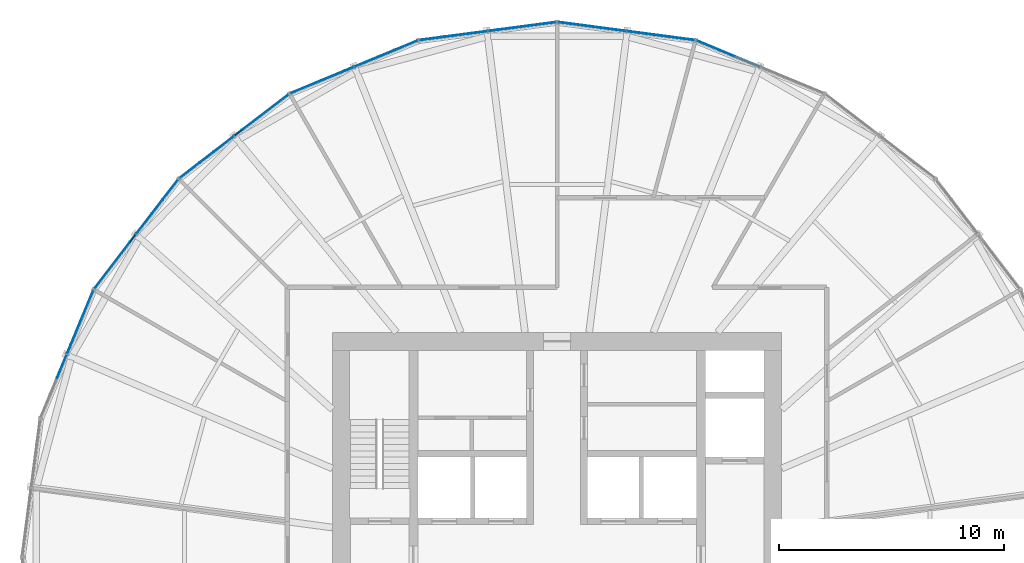
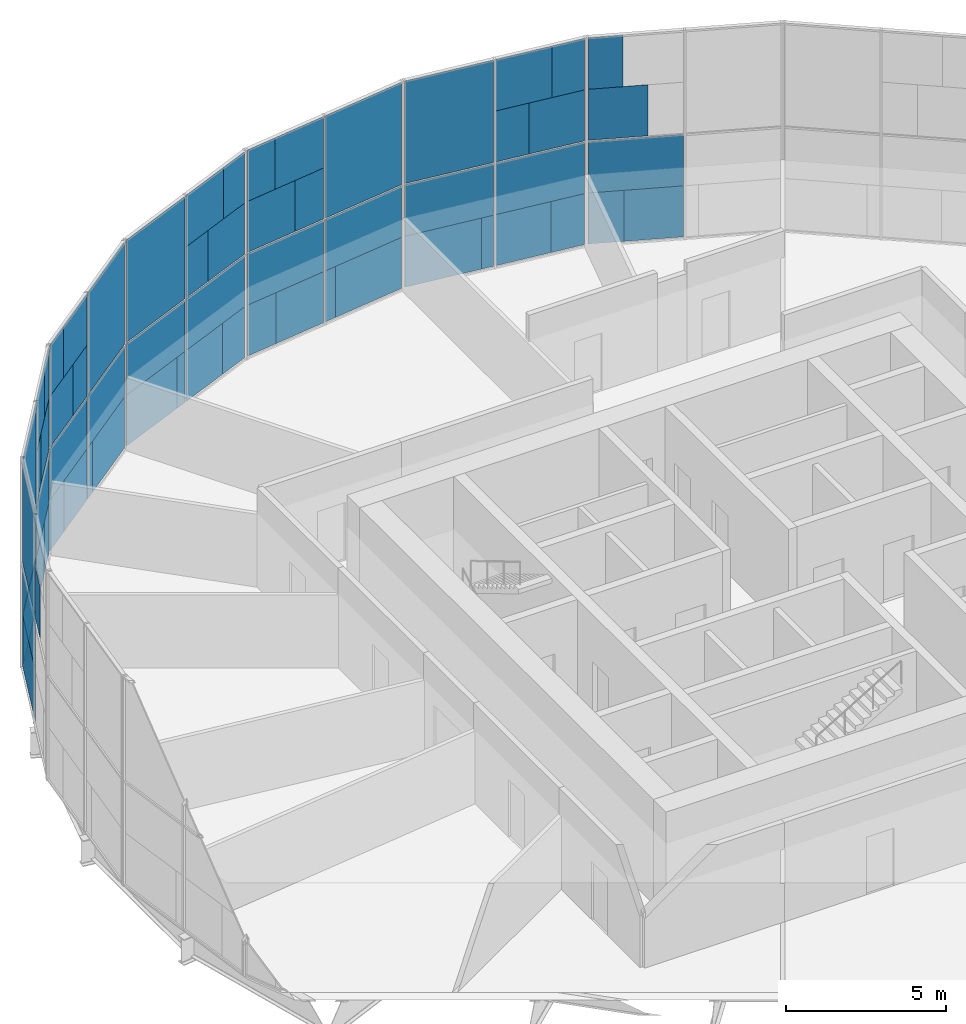
# One storey, part 13 of 18: 65 plates, 7 elements without a shape of their own.
"""IFC4 building model written with IfcOpenShell, lengths in metres."""

from ifc_helpers import new_model, si_unit, direction, frame, origin, origin_2d, place, context, subcontext, project, spatial, rectangle, extrude, material, layer, layer_set, type_object, element, aggregate, save


model = new_model("IFC4")

# Units and contexts
model_context = context("Model", 3, precision=1e-05, world=origin(), true_north=direction((0.0, 1.0)))
body_context = subcontext(model_context, "Body", "Model", "MODEL_VIEW")
ifc_project = project(units=[si_unit("LENGTHUNIT", "METRE"), si_unit("AREAUNIT", "SQUARE_METRE"), si_unit("VOLUMEUNIT", "CUBIC_METRE"), si_unit("PLANEANGLEUNIT", "RADIAN"), si_unit("MASSUNIT", "GRAM", prefix="KILO")], contexts=[model_context])

# Site, building, storey
site_placement = place(None, origin())
site = spatial("IfcSite", under=ifc_project, at=site_placement, CompositionType="ELEMENT")
building_placement = place(site_placement, origin())
building = spatial("IfcBuilding", under=site, at=building_placement, Name="Golbaran Civic Tower", CompositionType="ELEMENT")
storey_placement = place(building_placement, frame((0.0, 0.0, 61.0)))
storey = spatial("IfcBuildingStorey", under=building, at=storey_placement, Name="L14", CompositionType="ELEMENT", Elevation=61.0)

# Curtain wall, plate
ifc_material_1 = material(Name="Aluminium and glass", Category="aluminium")
curtain_wall_type = type_object("IfcCurtainWallType", Name="INNER SKIN CURTAIN WALL", PredefinedType="NOTDEFINED", material=ifc_material_1)
curtain_wall_1_placement = place(storey_placement, origin())
curtain_wall_1 = element("IfcCurtainWall", 1, at=curtain_wall_1_placement, inside=storey, type_object=curtain_wall_type, Name="Inner skin L14 facet 5 CW1", ObjectType="INNER SKIN", PredefinedType="USERDEFINED")
ifc_material_2 = material(Name="Clear insulating glass", Category="glass")
ifc_layer_1 = layer(ifc_material_2, 0.031982421875, Name="Clear insulating glass")
ifc_layer_set_1 = layer_set([ifc_layer_1], Name="Clear insulating glass")
plate_type_1 = type_object("IfcPlateType", Name="INNER SKIN CURTAIN WALL GLAZED PANEL", PredefinedType="CURTAIN_PANEL", material=ifc_layer_set_1)
plate_1_placement = place(storey_placement, frame((6.74609375, 22.764404296875, 0.06494140625), z_axis=(0.0, 0.0, 1.0), x_axis=(-0.923879532505, 0.382683432381, 0.0)))
plate_1 = element("IfcPlate", 2, at=plate_1_placement, type_object=plate_type_1, Name="CW1 panel 2.1 part 2", PredefinedType="CURTAIN_PANEL", context=body_context, shape_type="SweptSolid", body=[
    extrude(rectangle(XDim=1.129150390625, YDim=0.031982421875, at=origin_2d()), origin(), (0.0, 0.0, 1.0), 1.951171875),
])

# Curtain wall, plates
curtain_wall_2_placement = place(storey_placement, origin())
curtain_wall_2 = element("IfcCurtainWall", 3, at=curtain_wall_2_placement, inside=storey, type_object=curtain_wall_type, Name="Inner skin L14 facet 6 CW1", ObjectType="INNER SKIN", PredefinedType="USERDEFINED")
plate_2_placement = place(storey_placement, frame((5.540283203125, 23.087646484375, 0.06494140625), z_axis=(0.0, 0.0, 1.0), x_axis=(-0.991444861378, 0.130526192185, 0.0)))
plate_2 = element("IfcPlate", 4, at=plate_2_placement, type_object=plate_type_1, Name="CW1 panel 1.1 part 1", PredefinedType="CURTAIN_PANEL", context=body_context, shape_type="SweptSolid", body=[
    extrude(rectangle(XDim=1.12890625, YDim=0.031982421875, at=origin_2d()), origin(), (0.0, 0.0, 1.0), 1.951171875),
])
plate_3_placement = place(storey_placement, frame((3.671630859375, 23.33349609375, 4.032470703125), z_axis=(0.0, 0.0, 1.0), x_axis=(-0.991444861378, 0.130526192185, 0.0)))
plate_3 = element("IfcPlate", 5, at=plate_3_placement, type_object=plate_type_1, Name="CW1 panel 1.2 part 2", PredefinedType="CURTAIN_PANEL", context=body_context, shape_type="SweptSolid", body=[
    extrude(rectangle(XDim=1.124267578125, YDim=0.031982421875, at=origin_2d()), origin(), (0.0, 0.0, 1.0), 1.951171875),
])
plate_4_placement = place(storey_placement, frame((4.062744140625, 23.2822265625, 5.98388671875), z_axis=(0.0, 0.0, 1.0), x_axis=(-0.991444861378, 0.130526192185, 0.0)))
plate_4 = element("IfcPlate", 6, at=plate_4_placement, type_object=plate_type_1, Name="CW1 panel 1.2 part 4", PredefinedType="CURTAIN_PANEL", context=body_context, shape_type="SweptSolid", body=[
    extrude(rectangle(XDim=1.913330078125, YDim=0.031982421875, at=origin_2d()), origin(), (0.0, 0.0, 1.0), 1.951171875),
])
plate_5_placement = place(storey_placement, frame((1.35302734375, 23.638916015625, 0.06494140625), z_axis=(0.0, 0.0, 1.0), x_axis=(-0.991444861378, 0.130526192185, 0.0)))
plate_5 = element("IfcPlate", 7, at=plate_5_placement, type_object=plate_type_1, Name="CW1 panel 2.1 part 2", PredefinedType="CURTAIN_PANEL", context=body_context, shape_type="SweptSolid", body=[
    extrude(rectangle(XDim=2.59912109375, YDim=0.031982421875, at=origin_2d()), origin(), (0.0, 0.0, 1.0), 1.951171875),
])
plate_6_placement = place(storey_placement, frame((1.55712890625, 23.612060546875, 2.016357421875), z_axis=(0.0, 0.0, 1.0), x_axis=(-0.991444861378, 0.130526192185, 0.0)))
plate_6 = element("IfcPlate", 8, at=plate_6_placement, type_object=plate_type_1, Name="CW1 panel 2.1 part 3", PredefinedType="CURTAIN_PANEL", context=body_context, shape_type="SweptSolid", body=[
    extrude(rectangle(XDim=3.01123046875, YDim=0.031982421875, at=origin_2d()), origin(), (0.0, 0.0, 1.0), 1.951171875),
])
plate_7_placement = place(storey_placement, frame((1.55712890625, 23.612060546875, 4.0322265625), z_axis=(0.0, 0.0, 1.0), x_axis=(-0.991444861378, 0.130526192185, 0.0)))
plate_7 = element("IfcPlate", 9, at=plate_7_placement, type_object=plate_type_1, Name="CW1 panel 2.2", PredefinedType="CURTAIN_PANEL", context=body_context, shape_type="SweptSolid", body=[
    extrude(rectangle(XDim=3.01123046875, YDim=0.031982421875, at=origin_2d()), origin(), (0.0, 0.0, 1.0), 3.902587890625),
])

curtain_wall_3_placement = place(storey_placement, origin())
curtain_wall_3 = element("IfcCurtainWall", 10, at=curtain_wall_3_placement, inside=storey, type_object=curtain_wall_type, Name="Inner skin L14 facet 7 CW1", ObjectType="INNER SKIN", PredefinedType="USERDEFINED")
plate_8_placement = place(storey_placement, frame((-1.353271484375, 23.638916015625, 0.06494140625), z_axis=(0.0, 0.0, 1.0), x_axis=(-0.991444861378, -0.130526192185, 0.0)))
plate_8 = element("IfcPlate", 11, at=plate_8_placement, type_object=plate_type_1, Name="CW1 panel 1.1 part 1", PredefinedType="CURTAIN_PANEL", context=body_context, shape_type="SweptSolid", body=[
    extrude(rectangle(XDim=2.60009765625, YDim=0.031982421875, at=origin_2d()), origin(), (0.0, 0.0, 1.0), 1.951171875),
])
plate_9_placement = place(storey_placement, frame((-1.55712890625, 23.612060546875, 2.016357421875), z_axis=(0.0, 0.0, 1.0), x_axis=(-0.991444861378, -0.130526192185, 0.0)))
plate_9 = element("IfcPlate", 12, at=plate_9_placement, type_object=plate_type_1, Name="CW1 panel 1.1 part 3", PredefinedType="CURTAIN_PANEL", context=body_context, shape_type="SweptSolid", body=[
    extrude(rectangle(XDim=3.01123046875, YDim=0.031982421875, at=origin_2d()), origin(), (0.0, 0.0, 1.0), 1.951171875),
])
plate_10_placement = place(storey_placement, frame((-1.55712890625, 23.612060546875, 4.0322265625), z_axis=(0.0, 0.0, 1.0), x_axis=(-0.991444861378, -0.130526192185, 0.0)))
plate_10 = element("IfcPlate", 13, at=plate_10_placement, type_object=plate_type_1, Name="CW1 panel 1.2", PredefinedType="CURTAIN_PANEL", context=body_context, shape_type="SweptSolid", body=[
    extrude(rectangle(XDim=3.01123046875, YDim=0.031982421875, at=origin_2d()), origin(), (0.0, 0.0, 1.0), 3.902587890625),
])
plate_11_placement = place(storey_placement, frame((-5.5400390625, 23.087646484375, 0.06494140625), z_axis=(0.0, 0.0, 1.0), x_axis=(-0.991444861378, -0.130526192185, 0.0)))
plate_11 = element("IfcPlate", 14, at=plate_11_placement, type_object=plate_type_1, Name="CW1 panel 2.1 part 2", PredefinedType="CURTAIN_PANEL", context=body_context, shape_type="SweptSolid", body=[
    extrude(rectangle(XDim=1.129150390625, YDim=0.031982421875, at=origin_2d()), origin(), (0.0, 0.0, 1.0), 1.951171875),
])
plate_12_placement = place(storey_placement, frame((-3.671630859375, 23.333740234375, 4.032470703125), z_axis=(0.0, 0.0, 1.0), x_axis=(-0.991444861378, -0.130526192185, 0.0)))
plate_12 = element("IfcPlate", 15, at=plate_12_placement, type_object=plate_type_1, Name="CW1 panel 2.2 part 1", PredefinedType="CURTAIN_PANEL", context=body_context, shape_type="SweptSolid", body=[
    extrude(rectangle(XDim=1.1240234375, YDim=0.031982421875, at=origin_2d()), origin(), (0.0, 0.0, 1.0), 1.951171875),
])
plate_13_placement = place(storey_placement, frame((-4.062744140625, 23.2822265625, 5.98388671875), z_axis=(0.0, 0.0, 1.0), x_axis=(-0.991444861378, -0.130526192185, 0.0)))
plate_13 = element("IfcPlate", 16, at=plate_13_placement, type_object=plate_type_1, Name="CW1 panel 2.2 part 3", PredefinedType="CURTAIN_PANEL", context=body_context, shape_type="SweptSolid", body=[
    extrude(rectangle(XDim=1.9130859375, YDim=0.031982421875, at=origin_2d()), origin(), (0.0, 0.0, 1.0), 1.951171875),
])

curtain_wall_4_placement = place(storey_placement, origin())
curtain_wall_4 = element("IfcCurtainWall", 17, at=curtain_wall_4_placement, inside=storey, type_object=curtain_wall_type, Name="Inner skin L14 facet 8 CW1", ObjectType="INNER SKIN", PredefinedType="USERDEFINED")
plate_14_placement = place(storey_placement, frame((-6.745849609375, 22.7646484375, 0.06494140625), z_axis=(0.0, 0.0, 1.0), x_axis=(-0.923879532505, -0.382683432381, 0.0)))
plate_14 = element("IfcPlate", 18, at=plate_14_placement, type_object=plate_type_1, Name="CW1 panel 1.1 part 1", PredefinedType="CURTAIN_PANEL", context=body_context, shape_type="SweptSolid", body=[
    extrude(rectangle(XDim=1.12890625, YDim=0.031982421875, at=origin_2d()), origin(), (0.0, 0.0, 1.0), 1.951171875),
])
plate_15_placement = place(storey_placement, frame((-8.487060546875, 22.04345703125, 4.032470703125), z_axis=(0.0, 0.0, 1.0), x_axis=(-0.923879532505, -0.382683432381, 0.0)))
plate_15 = element("IfcPlate", 19, at=plate_15_placement, type_object=plate_type_1, Name="CW1 panel 1.2 part 2", PredefinedType="CURTAIN_PANEL", context=body_context, shape_type="SweptSolid", body=[
    extrude(rectangle(XDim=1.124267578125, YDim=0.031982421875, at=origin_2d()), origin(), (0.0, 0.0, 1.0), 1.951171875),
])
plate_16_placement = place(storey_placement, frame((-8.12255859375, 22.1943359375, 5.98388671875), z_axis=(0.0, 0.0, 1.0), x_axis=(-0.923879532505, -0.382683432381, 0.0)))
plate_16 = element("IfcPlate", 20, at=plate_16_placement, type_object=plate_type_1, Name="CW1 panel 1.2 part 4", PredefinedType="CURTAIN_PANEL", context=body_context, shape_type="SweptSolid", body=[
    extrude(rectangle(XDim=1.913330078125, YDim=0.031982421875, at=origin_2d()), origin(), (0.0, 0.0, 1.0), 1.951171875),
])
plate_17_placement = place(storey_placement, frame((-10.647705078125, 21.1484375, 0.06494140625), z_axis=(0.0, 0.0, 1.0), x_axis=(-0.923879532505, -0.382683432381, 0.0)))
plate_17 = element("IfcPlate", 21, at=plate_17_placement, type_object=plate_type_1, Name="CW1 panel 2.1 part 2", PredefinedType="CURTAIN_PANEL", context=body_context, shape_type="SweptSolid", body=[
    extrude(rectangle(XDim=2.59912109375, YDim=0.031982421875, at=origin_2d()), origin(), (0.0, 0.0, 1.0), 1.951171875),
])
plate_18_placement = place(storey_placement, frame((-10.45751953125, 21.227294921875, 2.016357421875), z_axis=(0.0, 0.0, 1.0), x_axis=(-0.923879532505, -0.382683432381, 0.0)))
plate_18 = element("IfcPlate", 22, at=plate_18_placement, type_object=plate_type_1, Name="CW1 panel 2.1 part 3", PredefinedType="CURTAIN_PANEL", context=body_context, shape_type="SweptSolid", body=[
    extrude(rectangle(XDim=3.01123046875, YDim=0.031982421875, at=origin_2d()), origin(), (0.0, 0.0, 1.0), 1.951171875),
])
plate_19_placement = place(storey_placement, frame((-10.45751953125, 21.227294921875, 4.0322265625), z_axis=(0.0, 0.0, 1.0), x_axis=(-0.923879532505, -0.382683432381, 0.0)))
plate_19 = element("IfcPlate", 23, at=plate_19_placement, type_object=plate_type_1, Name="CW1 panel 2.2", PredefinedType="CURTAIN_PANEL", context=body_context, shape_type="SweptSolid", body=[
    extrude(rectangle(XDim=3.01123046875, YDim=0.031982421875, at=origin_2d()), origin(), (0.0, 0.0, 1.0), 3.902587890625),
])

curtain_wall_5_placement = place(storey_placement, origin())
curtain_wall_5 = element("IfcCurtainWall", 24, at=curtain_wall_5_placement, inside=storey, type_object=curtain_wall_type, Name="Inner skin L14 facet 9 CW1", ObjectType="INNER SKIN", PredefinedType="USERDEFINED")
plate_20_placement = place(storey_placement, frame((-12.991455078125, 19.795166015625, 0.06494140625), z_axis=(0.0, 0.0, 1.0), x_axis=(-0.793353340355, -0.608761428926, 0.0)))
plate_20 = element("IfcPlate", 25, at=plate_20_placement, type_object=plate_type_1, Name="CW1 panel 1.1 part 1", PredefinedType="CURTAIN_PANEL", context=body_context, shape_type="SweptSolid", body=[
    extrude(rectangle(XDim=2.60009765625, YDim=0.031982421875, at=origin_2d()), origin(), (0.0, 0.0, 1.0), 1.951171875),
])
plate_21_placement = place(storey_placement, frame((-13.154541015625, 19.669921875, 2.016357421875), z_axis=(0.0, 0.0, 1.0), x_axis=(-0.793353340355, -0.608761428926, 0.0)))
plate_21 = element("IfcPlate", 26, at=plate_21_placement, type_object=plate_type_1, Name="CW1 panel 1.1 part 3", PredefinedType="CURTAIN_PANEL", context=body_context, shape_type="SweptSolid", body=[
    extrude(rectangle(XDim=3.01123046875, YDim=0.031982421875, at=origin_2d()), origin(), (0.0, 0.0, 1.0), 1.951171875),
])
plate_22_placement = place(storey_placement, frame((-13.154541015625, 19.669921875, 4.0322265625), z_axis=(0.0, 0.0, 1.0), x_axis=(-0.793353340355, -0.608761428926, 0.0)))
plate_22 = element("IfcPlate", 27, at=plate_22_placement, type_object=plate_type_1, Name="CW1 panel 1.2", PredefinedType="CURTAIN_PANEL", context=body_context, shape_type="SweptSolid", body=[
    extrude(rectangle(XDim=3.01123046875, YDim=0.031982421875, at=origin_2d()), origin(), (0.0, 0.0, 1.0), 3.902587890625),
])
plate_23_placement = place(storey_placement, frame((-16.341552734375, 17.224365234375, 0.06494140625), z_axis=(0.0, 0.0, 1.0), x_axis=(-0.793353340355, -0.608761428926, 0.0)))
plate_23 = element("IfcPlate", 28, at=plate_23_placement, type_object=plate_type_1, Name="CW1 panel 2.1 part 2", PredefinedType="CURTAIN_PANEL", context=body_context, shape_type="SweptSolid", body=[
    extrude(rectangle(XDim=1.129150390625, YDim=0.031982421875, at=origin_2d()), origin(), (0.0, 0.0, 1.0), 1.951171875),
])
plate_24_placement = place(storey_placement, frame((-14.846435546875, 18.371826171875, 4.032470703125), z_axis=(0.0, 0.0, 1.0), x_axis=(-0.793353340355, -0.608761428926, 0.0)))
plate_24 = element("IfcPlate", 29, at=plate_24_placement, type_object=plate_type_1, Name="CW1 panel 2.2 part 1", PredefinedType="CURTAIN_PANEL", context=body_context, shape_type="SweptSolid", body=[
    extrude(rectangle(XDim=1.1240234375, YDim=0.031982421875, at=origin_2d()), origin(), (0.0, 0.0, 1.0), 1.951171875),
])
plate_25_placement = place(storey_placement, frame((-15.159423828125, 18.131591796875, 5.98388671875), z_axis=(0.0, 0.0, 1.0), x_axis=(-0.793353340355, -0.608761428926, 0.0)))
plate_25 = element("IfcPlate", 30, at=plate_25_placement, type_object=plate_type_1, Name="CW1 panel 2.2 part 3", PredefinedType="CURTAIN_PANEL", context=body_context, shape_type="SweptSolid", body=[
    extrude(rectangle(XDim=1.9130859375, YDim=0.031982421875, at=origin_2d()), origin(), (0.0, 0.0, 1.0), 1.951171875),
])

curtain_wall_6_placement = place(storey_placement, origin())
curtain_wall_6 = element("IfcCurtainWall", 31, at=curtain_wall_6_placement, inside=storey, type_object=curtain_wall_type, Name="Inner skin L14 facet 10 CW1", ObjectType="INNER SKIN", PredefinedType="USERDEFINED")
plate_26_placement = place(storey_placement, frame((-17.224365234375, 16.341796875, 0.06494140625), z_axis=(0.0, 0.0, 1.0), x_axis=(-0.608761428926, -0.793353340355, 0.0)))
plate_26 = element("IfcPlate", 32, at=plate_26_placement, type_object=plate_type_1, Name="CW1 panel 1.1 part 1", PredefinedType="CURTAIN_PANEL", context=body_context, shape_type="SweptSolid", body=[
    extrude(rectangle(XDim=1.12890625, YDim=0.031982421875, at=origin_2d()), origin(), (0.0, 0.0, 1.0), 1.951171875),
])
plate_27_placement = place(storey_placement, frame((-18.37158203125, 14.8466796875, 4.032470703125), z_axis=(0.0, 0.0, 1.0), x_axis=(-0.608761428926, -0.793353340355, 0.0)))
plate_27 = element("IfcPlate", 33, at=plate_27_placement, type_object=plate_type_1, Name="CW1 panel 1.2 part 2", PredefinedType="CURTAIN_PANEL", context=body_context, shape_type="SweptSolid", body=[
    extrude(rectangle(XDim=1.124267578125, YDim=0.031982421875, at=origin_2d()), origin(), (0.0, 0.0, 1.0), 1.951171875),
])
plate_28_placement = place(storey_placement, frame((-18.131591796875, 15.15966796875, 5.98388671875), z_axis=(0.0, 0.0, 1.0), x_axis=(-0.608761428926, -0.793353340355, 0.0)))
plate_28 = element("IfcPlate", 34, at=plate_28_placement, type_object=plate_type_1, Name="CW1 panel 1.2 part 4", PredefinedType="CURTAIN_PANEL", context=body_context, shape_type="SweptSolid", body=[
    extrude(rectangle(XDim=1.913330078125, YDim=0.031982421875, at=origin_2d()), origin(), (0.0, 0.0, 1.0), 1.951171875),
])
plate_29_placement = place(storey_placement, frame((-19.79541015625, 12.9912109375, 0.06494140625), z_axis=(0.0, 0.0, 1.0), x_axis=(-0.608761428926, -0.793353340355, 0.0)))
plate_29 = element("IfcPlate", 35, at=plate_29_placement, type_object=plate_type_1, Name="CW1 panel 2.1 part 2", PredefinedType="CURTAIN_PANEL", context=body_context, shape_type="SweptSolid", body=[
    extrude(rectangle(XDim=2.59912109375, YDim=0.031982421875, at=origin_2d()), origin(), (0.0, 0.0, 1.0), 1.951171875),
])
plate_30_placement = place(storey_placement, frame((-19.669921875, 13.154541015625, 2.016357421875), z_axis=(0.0, 0.0, 1.0), x_axis=(-0.608761428926, -0.793353340355, 0.0)))
plate_30 = element("IfcPlate", 36, at=plate_30_placement, type_object=plate_type_1, Name="CW1 panel 2.1 part 3", PredefinedType="CURTAIN_PANEL", context=body_context, shape_type="SweptSolid", body=[
    extrude(rectangle(XDim=3.01123046875, YDim=0.031982421875, at=origin_2d()), origin(), (0.0, 0.0, 1.0), 1.951171875),
])
plate_31_placement = place(storey_placement, frame((-19.669921875, 13.154541015625, 4.0322265625), z_axis=(0.0, 0.0, 1.0), x_axis=(-0.608761428926, -0.793353340355, 0.0)))
plate_31 = element("IfcPlate", 37, at=plate_31_placement, type_object=plate_type_1, Name="CW1 panel 2.2", PredefinedType="CURTAIN_PANEL", context=body_context, shape_type="SweptSolid", body=[
    extrude(rectangle(XDim=3.01123046875, YDim=0.031982421875, at=origin_2d()), origin(), (0.0, 0.0, 1.0), 3.902587890625),
])

curtain_wall_7_placement = place(storey_placement, origin())
curtain_wall_7 = element("IfcCurtainWall", 38, at=curtain_wall_7_placement, inside=storey, type_object=curtain_wall_type, Name="Inner skin L14 facet 11 CW1", ObjectType="INNER SKIN", PredefinedType="USERDEFINED")
plate_32_placement = place(storey_placement, frame((-21.1484375, 10.6474609375, 0.06494140625), z_axis=(0.0, 0.0, 1.0), x_axis=(-0.382683432381, -0.923879532505, 0.0)))
plate_32 = element("IfcPlate", 39, at=plate_32_placement, type_object=plate_type_1, Name="CW1 panel 1.1 part 1", PredefinedType="CURTAIN_PANEL", context=body_context, shape_type="SweptSolid", body=[
    extrude(rectangle(XDim=2.60009765625, YDim=0.031982421875, at=origin_2d()), origin(), (0.0, 0.0, 1.0), 1.951171875),
])
plate_33_placement = place(storey_placement, frame((-21.227294921875, 10.45751953125, 2.016357421875), z_axis=(0.0, 0.0, 1.0), x_axis=(-0.382683432381, -0.923879532505, 0.0)))
plate_33 = element("IfcPlate", 40, at=plate_33_placement, type_object=plate_type_1, Name="CW1 panel 1.1 part 3", PredefinedType="CURTAIN_PANEL", context=body_context, shape_type="SweptSolid", body=[
    extrude(rectangle(XDim=3.01123046875, YDim=0.031982421875, at=origin_2d()), origin(), (0.0, 0.0, 1.0), 1.951171875),
])
plate_34_placement = place(storey_placement, frame((-21.227294921875, 10.45751953125, 4.0322265625), z_axis=(0.0, 0.0, 1.0), x_axis=(-0.382683432381, -0.923879532505, 0.0)))
plate_34 = element("IfcPlate", 41, at=plate_34_placement, type_object=plate_type_1, Name="CW1 panel 1.2", PredefinedType="CURTAIN_PANEL", context=body_context, shape_type="SweptSolid", body=[
    extrude(rectangle(XDim=3.01123046875, YDim=0.031982421875, at=origin_2d()), origin(), (0.0, 0.0, 1.0), 3.902587890625),
])
plate_35_placement = place(storey_placement, frame((-22.043212890625, 8.487060546875, 4.032470703125), z_axis=(0.0, 0.0, 1.0), x_axis=(-0.382683432381, -0.923879532505, 0.0)))
plate_35 = element("IfcPlate", 42, at=plate_35_placement, type_object=plate_type_1, Name="CW1 panel 2.2 part 1", PredefinedType="CURTAIN_PANEL", context=body_context, shape_type="SweptSolid", body=[
    extrude(rectangle(XDim=1.1240234375, YDim=0.031982421875, at=origin_2d()), origin(), (0.0, 0.0, 1.0), 1.951171875),
])

# Plate
ifc_material_3 = material(Name="Aluminium faced opaque infill panel", Category="aluminium")
ifc_layer_2 = layer(ifc_material_3, 0.031982421875, Name="Aluminium faced opaque infill panel")
ifc_layer_set_2 = layer_set([ifc_layer_2], Name="Aluminium faced opaque infill panel")
plate_type_2 = type_object("IfcPlateType", Name="INNER SKIN CURTAIN WALL OPAQUE INFILL PANEL", PredefinedType="CURTAIN_PANEL", material=ifc_layer_set_2)
plate_36_placement = place(storey_placement, frame((8.136962890625, 22.188232421875, 0.06494140625), z_axis=(0.0, 0.0, 1.0), x_axis=(-0.923879532505, 0.382683432381, 0.0)))
plate_36 = element("IfcPlate", 43, at=plate_36_placement, type_object=plate_type_2, Name="CW1 infill panel 2.1 part 1", PredefinedType="CURTAIN_PANEL", context=body_context, shape_type="SweptSolid", body=[
    extrude(rectangle(XDim=1.882080078125, YDim=0.031982421875, at=origin_2d()), origin(), (0.0, 0.0, 1.0), 1.951171875),
])

plate_37_placement = place(storey_placement, frame((7.615478515625, 22.404296875, 2.016357421875), z_axis=(0.0, 0.0, 1.0), x_axis=(-0.923879532505, 0.382683432381, 0.0)))
plate_37 = element("IfcPlate", 44, at=plate_37_placement, type_object=plate_type_2, Name="CW1 infill panel 2.1 part 3", PredefinedType="CURTAIN_PANEL", context=body_context, shape_type="SweptSolid", body=[
    extrude(rectangle(XDim=3.01123046875, YDim=0.031982421875, at=origin_2d()), origin(), (0.0, 0.0, 1.0), 1.951171875),
])

plate_38_placement = place(storey_placement, frame((7.09619140625, 22.619384765625, 4.032470703125), z_axis=(0.0, 0.0, 1.0), x_axis=(-0.923879532505, 0.382683432381, 0.0)))
plate_38 = element("IfcPlate", 45, at=plate_38_placement, type_object=plate_type_2, Name="CW1 infill panel 2.2 part 2", PredefinedType="CURTAIN_PANEL", context=body_context, shape_type="SweptSolid", body=[
    extrude(rectangle(XDim=1.88720703125, YDim=0.031982421875, at=origin_2d()), origin(), (0.0, 0.0, 1.0), 1.951171875),
])

plate_39_placement = place(storey_placement, frame((6.731689453125, 22.7705078125, 5.98388671875), z_axis=(0.0, 0.0, 1.0), x_axis=(-0.923879532505, 0.382683432381, 0.0)))
plate_39 = element("IfcPlate", 46, at=plate_39_placement, type_object=plate_type_2, Name="CW1 infill panel 2.2 part 4", PredefinedType="CURTAIN_PANEL", context=body_context, shape_type="SweptSolid", body=[
    extrude(rectangle(XDim=1.09814453125, YDim=0.031982421875, at=origin_2d()), origin(), (0.0, 0.0, 1.0), 1.951171875),
])

aggregate(curtain_wall_1, [plate_36, plate_1, plate_37, plate_38, plate_39])

plate_40_placement = place(storey_placement, frame((4.04736328125, 23.2841796875, 0.06494140625), z_axis=(0.0, 0.0, 1.0), x_axis=(-0.991444861378, 0.130526192185, 0.0)))
plate_40 = element("IfcPlate", 47, at=plate_40_placement, type_object=plate_type_2, Name="CW1 infill panel 1.1 part 2", PredefinedType="CURTAIN_PANEL", context=body_context, shape_type="SweptSolid", body=[
    extrude(rectangle(XDim=1.88232421875, YDim=0.031982421875, at=origin_2d()), origin(), (0.0, 0.0, 1.0), 1.951171875),
])

plate_41_placement = place(storey_placement, frame((4.607177734375, 23.21044921875, 2.016357421875), z_axis=(0.0, 0.0, 1.0), x_axis=(-0.991444861378, 0.130526192185, 0.0)))
plate_41 = element("IfcPlate", 48, at=plate_41_placement, type_object=plate_type_2, Name="CW1 infill panel 1.1 part 3", PredefinedType="CURTAIN_PANEL", context=body_context, shape_type="SweptSolid", body=[
    extrude(rectangle(XDim=3.01123046875, YDim=0.031982421875, at=origin_2d()), origin(), (0.0, 0.0, 1.0), 1.951171875),
])

plate_42_placement = place(storey_placement, frame((5.164306640625, 23.13720703125, 4.032470703125), z_axis=(0.0, 0.0, 1.0), x_axis=(-0.991444861378, 0.130526192185, 0.0)))
plate_42 = element("IfcPlate", 49, at=plate_42_placement, type_object=plate_type_2, Name="CW1 infill panel 1.2 part 1", PredefinedType="CURTAIN_PANEL", context=body_context, shape_type="SweptSolid", body=[
    extrude(rectangle(XDim=1.886962890625, YDim=0.031982421875, at=origin_2d()), origin(), (0.0, 0.0, 1.0), 1.951171875),
])

plate_43_placement = place(storey_placement, frame((5.5556640625, 23.085693359375, 5.98388671875), z_axis=(0.0, 0.0, 1.0), x_axis=(-0.991444861378, 0.130526192185, 0.0)))
plate_43 = element("IfcPlate", 50, at=plate_43_placement, type_object=plate_type_2, Name="CW1 infill panel 1.2 part 3", PredefinedType="CURTAIN_PANEL", context=body_context, shape_type="SweptSolid", body=[
    extrude(rectangle(XDim=1.097900390625, YDim=0.031982421875, at=origin_2d()), origin(), (0.0, 0.0, 1.0), 1.951171875),
])

plate_44_placement = place(storey_placement, frame((2.845703125, 23.4423828125, 0.06494140625), z_axis=(0.0, 0.0, 1.0), x_axis=(-0.991444861378, 0.130526192185, 0.0)))
plate_44 = element("IfcPlate", 51, at=plate_44_placement, type_object=plate_type_2, Name="CW1 infill panel 2.1 part 1", PredefinedType="CURTAIN_PANEL", context=body_context, shape_type="SweptSolid", body=[
    extrude(rectangle(XDim=0.412109375, YDim=0.031982421875, at=origin_2d()), origin(), (0.0, 0.0, 1.0), 1.951171875),
])

aggregate(curtain_wall_2, [plate_2, plate_40, plate_41, plate_42, plate_3, plate_43, plate_4, plate_44, plate_5, plate_6, plate_7])

plate_45_placement = place(storey_placement, frame((-2.845947265625, 23.4423828125, 0.06494140625), z_axis=(0.0, 0.0, 1.0), x_axis=(-0.991444861378, -0.130526192185, 0.0)))
plate_45 = element("IfcPlate", 52, at=plate_45_placement, type_object=plate_type_2, Name="CW1 infill panel 1.1 part 2", PredefinedType="CURTAIN_PANEL", context=body_context, shape_type="SweptSolid", body=[
    extrude(rectangle(XDim=0.4111328125, YDim=0.031982421875, at=origin_2d()), origin(), (0.0, 0.0, 1.0), 1.951171875),
])

plate_46_placement = place(storey_placement, frame((-4.04736328125, 23.2841796875, 0.06494140625), z_axis=(0.0, 0.0, 1.0), x_axis=(-0.991444861378, -0.130526192185, 0.0)))
plate_46 = element("IfcPlate", 53, at=plate_46_placement, type_object=plate_type_2, Name="CW1 infill panel 2.1 part 1", PredefinedType="CURTAIN_PANEL", context=body_context, shape_type="SweptSolid", body=[
    extrude(rectangle(XDim=1.882080078125, YDim=0.031982421875, at=origin_2d()), origin(), (0.0, 0.0, 1.0), 1.951171875),
])

plate_47_placement = place(storey_placement, frame((-4.607177734375, 23.21044921875, 2.016357421875), z_axis=(0.0, 0.0, 1.0), x_axis=(-0.991444861378, -0.130526192185, 0.0)))
plate_47 = element("IfcPlate", 54, at=plate_47_placement, type_object=plate_type_2, Name="CW1 infill panel 2.1 part 3", PredefinedType="CURTAIN_PANEL", context=body_context, shape_type="SweptSolid", body=[
    extrude(rectangle(XDim=3.01123046875, YDim=0.031982421875, at=origin_2d()), origin(), (0.0, 0.0, 1.0), 1.951171875),
])

plate_48_placement = place(storey_placement, frame((-5.164306640625, 23.13720703125, 4.032470703125), z_axis=(0.0, 0.0, 1.0), x_axis=(-0.991444861378, -0.130526192185, 0.0)))
plate_48 = element("IfcPlate", 55, at=plate_48_placement, type_object=plate_type_2, Name="CW1 infill panel 2.2 part 2", PredefinedType="CURTAIN_PANEL", context=body_context, shape_type="SweptSolid", body=[
    extrude(rectangle(XDim=1.88720703125, YDim=0.031982421875, at=origin_2d()), origin(), (0.0, 0.0, 1.0), 1.951171875),
])

plate_49_placement = place(storey_placement, frame((-5.555419921875, 23.085693359375, 5.98388671875), z_axis=(0.0, 0.0, 1.0), x_axis=(-0.991444861378, -0.130526192185, 0.0)))
plate_49 = element("IfcPlate", 56, at=plate_49_placement, type_object=plate_type_2, Name="CW1 infill panel 2.2 part 4", PredefinedType="CURTAIN_PANEL", context=body_context, shape_type="SweptSolid", body=[
    extrude(rectangle(XDim=1.09814453125, YDim=0.031982421875, at=origin_2d()), origin(), (0.0, 0.0, 1.0), 1.951171875),
])

aggregate(curtain_wall_3, [plate_8, plate_45, plate_9, plate_10, plate_46, plate_11, plate_47, plate_12, plate_48, plate_13, plate_49])

plate_50_placement = place(storey_placement, frame((-8.136962890625, 22.1884765625, 0.06494140625), z_axis=(0.0, 0.0, 1.0), x_axis=(-0.923879532505, -0.382683432381, 0.0)))
plate_50 = element("IfcPlate", 57, at=plate_50_placement, type_object=plate_type_2, Name="CW1 infill panel 1.1 part 2", PredefinedType="CURTAIN_PANEL", context=body_context, shape_type="SweptSolid", body=[
    extrude(rectangle(XDim=1.88232421875, YDim=0.031982421875, at=origin_2d()), origin(), (0.0, 0.0, 1.0), 1.951171875),
])

plate_51_placement = place(storey_placement, frame((-7.615478515625, 22.404296875, 2.016357421875), z_axis=(0.0, 0.0, 1.0), x_axis=(-0.923879532505, -0.382683432381, 0.0)))
plate_51 = element("IfcPlate", 58, at=plate_51_placement, type_object=plate_type_2, Name="CW1 infill panel 1.1 part 3", PredefinedType="CURTAIN_PANEL", context=body_context, shape_type="SweptSolid", body=[
    extrude(rectangle(XDim=3.01123046875, YDim=0.031982421875, at=origin_2d()), origin(), (0.0, 0.0, 1.0), 1.951171875),
])

plate_52_placement = place(storey_placement, frame((-7.095947265625, 22.61962890625, 4.032470703125), z_axis=(0.0, 0.0, 1.0), x_axis=(-0.923879532505, -0.382683432381, 0.0)))
plate_52 = element("IfcPlate", 59, at=plate_52_placement, type_object=plate_type_2, Name="CW1 infill panel 1.2 part 1", PredefinedType="CURTAIN_PANEL", context=body_context, shape_type="SweptSolid", body=[
    extrude(rectangle(XDim=1.886962890625, YDim=0.031982421875, at=origin_2d()), origin(), (0.0, 0.0, 1.0), 1.951171875),
])

plate_53_placement = place(storey_placement, frame((-6.7314453125, 22.7705078125, 5.98388671875), z_axis=(0.0, 0.0, 1.0), x_axis=(-0.923879532505, -0.382683432381, 0.0)))
plate_53 = element("IfcPlate", 60, at=plate_53_placement, type_object=plate_type_2, Name="CW1 infill panel 1.2 part 3", PredefinedType="CURTAIN_PANEL", context=body_context, shape_type="SweptSolid", body=[
    extrude(rectangle(XDim=1.097900390625, YDim=0.031982421875, at=origin_2d()), origin(), (0.0, 0.0, 1.0), 1.951171875),
])

plate_54_placement = place(storey_placement, frame((-9.2568359375, 21.724609375, 0.06494140625), z_axis=(0.0, 0.0, 1.0), x_axis=(-0.923879532505, -0.382683432381, 0.0)))
plate_54 = element("IfcPlate", 61, at=plate_54_placement, type_object=plate_type_2, Name="CW1 infill panel 2.1 part 1", PredefinedType="CURTAIN_PANEL", context=body_context, shape_type="SweptSolid", body=[
    extrude(rectangle(XDim=0.412109375, YDim=0.031982421875, at=origin_2d()), origin(), (0.0, 0.0, 1.0), 1.951171875),
])

aggregate(curtain_wall_4, [plate_14, plate_50, plate_51, plate_52, plate_15, plate_53, plate_16, plate_54, plate_17, plate_18, plate_19])

plate_55_placement = place(storey_placement, frame((-14.18603515625, 18.878662109375, 0.06494140625), z_axis=(0.0, 0.0, 1.0), x_axis=(-0.793353340355, -0.608761428926, 0.0)))
plate_55 = element("IfcPlate", 62, at=plate_55_placement, type_object=plate_type_2, Name="CW1 infill panel 1.1 part 2", PredefinedType="CURTAIN_PANEL", context=body_context, shape_type="SweptSolid", body=[
    extrude(rectangle(XDim=0.4111328125, YDim=0.031982421875, at=origin_2d()), origin(), (0.0, 0.0, 1.0), 1.951171875),
])

plate_56_placement = place(storey_placement, frame((-15.147216796875, 18.14111328125, 0.06494140625), z_axis=(0.0, 0.0, 1.0), x_axis=(-0.793353340355, -0.608761428926, 0.0)))
plate_56 = element("IfcPlate", 63, at=plate_56_placement, type_object=plate_type_2, Name="CW1 infill panel 2.1 part 1", PredefinedType="CURTAIN_PANEL", context=body_context, shape_type="SweptSolid", body=[
    extrude(rectangle(XDim=1.882080078125, YDim=0.031982421875, at=origin_2d()), origin(), (0.0, 0.0, 1.0), 1.951171875),
])

plate_57_placement = place(storey_placement, frame((-15.59521484375, 17.79736328125, 2.016357421875), z_axis=(0.0, 0.0, 1.0), x_axis=(-0.793353340355, -0.608761428926, 0.0)))
plate_57 = element("IfcPlate", 64, at=plate_57_placement, type_object=plate_type_2, Name="CW1 infill panel 2.1 part 3", PredefinedType="CURTAIN_PANEL", context=body_context, shape_type="SweptSolid", body=[
    extrude(rectangle(XDim=3.01123046875, YDim=0.031982421875, at=origin_2d()), origin(), (0.0, 0.0, 1.0), 1.951171875),
])

plate_58_placement = place(storey_placement, frame((-16.041015625, 17.455078125, 4.032470703125), z_axis=(0.0, 0.0, 1.0), x_axis=(-0.793353340355, -0.608761428926, 0.0)))
plate_58 = element("IfcPlate", 65, at=plate_58_placement, type_object=plate_type_2, Name="CW1 infill panel 2.2 part 2", PredefinedType="CURTAIN_PANEL", context=body_context, shape_type="SweptSolid", body=[
    extrude(rectangle(XDim=1.88720703125, YDim=0.031982421875, at=origin_2d()), origin(), (0.0, 0.0, 1.0), 1.951171875),
])

plate_59_placement = place(storey_placement, frame((-16.35400390625, 17.215087890625, 5.98388671875), z_axis=(0.0, 0.0, 1.0), x_axis=(-0.793353340355, -0.608761428926, 0.0)))
plate_59 = element("IfcPlate", 66, at=plate_59_placement, type_object=plate_type_2, Name="CW1 infill panel 2.2 part 4", PredefinedType="CURTAIN_PANEL", context=body_context, shape_type="SweptSolid", body=[
    extrude(rectangle(XDim=1.09814453125, YDim=0.031982421875, at=origin_2d()), origin(), (0.0, 0.0, 1.0), 1.951171875),
])

aggregate(curtain_wall_5, [plate_20, plate_55, plate_21, plate_22, plate_56, plate_23, plate_57, plate_24, plate_58, plate_25, plate_59])

plate_60_placement = place(storey_placement, frame((-18.140869140625, 15.147216796875, 0.06494140625), z_axis=(0.0, 0.0, 1.0), x_axis=(-0.608761428926, -0.793353340355, 0.0)))
plate_60 = element("IfcPlate", 67, at=plate_60_placement, type_object=plate_type_2, Name="CW1 infill panel 1.1 part 2", PredefinedType="CURTAIN_PANEL", context=body_context, shape_type="SweptSolid", body=[
    extrude(rectangle(XDim=1.88232421875, YDim=0.031982421875, at=origin_2d()), origin(), (0.0, 0.0, 1.0), 1.951171875),
])

plate_61_placement = place(storey_placement, frame((-17.79736328125, 15.59521484375, 2.016357421875), z_axis=(0.0, 0.0, 1.0), x_axis=(-0.608761428926, -0.793353340355, 0.0)))
plate_61 = element("IfcPlate", 68, at=plate_61_placement, type_object=plate_type_2, Name="CW1 infill panel 1.1 part 3", PredefinedType="CURTAIN_PANEL", context=body_context, shape_type="SweptSolid", body=[
    extrude(rectangle(XDim=3.01123046875, YDim=0.031982421875, at=origin_2d()), origin(), (0.0, 0.0, 1.0), 1.951171875),
])

plate_62_placement = place(storey_placement, frame((-17.455078125, 16.041015625, 4.032470703125), z_axis=(0.0, 0.0, 1.0), x_axis=(-0.608761428926, -0.793353340355, 0.0)))
plate_62 = element("IfcPlate", 69, at=plate_62_placement, type_object=plate_type_2, Name="CW1 infill panel 1.2 part 1", PredefinedType="CURTAIN_PANEL", context=body_context, shape_type="SweptSolid", body=[
    extrude(rectangle(XDim=1.886962890625, YDim=0.031982421875, at=origin_2d()), origin(), (0.0, 0.0, 1.0), 1.951171875),
])

plate_63_placement = place(storey_placement, frame((-17.21484375, 16.35400390625, 5.98388671875), z_axis=(0.0, 0.0, 1.0), x_axis=(-0.608761428926, -0.793353340355, 0.0)))
plate_63 = element("IfcPlate", 70, at=plate_63_placement, type_object=plate_type_2, Name="CW1 infill panel 1.2 part 3", PredefinedType="CURTAIN_PANEL", context=body_context, shape_type="SweptSolid", body=[
    extrude(rectangle(XDim=1.097900390625, YDim=0.031982421875, at=origin_2d()), origin(), (0.0, 0.0, 1.0), 1.951171875),
])

plate_64_placement = place(storey_placement, frame((-18.87890625, 14.185546875, 0.06494140625), z_axis=(0.0, 0.0, 1.0), x_axis=(-0.608761428926, -0.793353340355, 0.0)))
plate_64 = element("IfcPlate", 71, at=plate_64_placement, type_object=plate_type_2, Name="CW1 infill panel 2.1 part 1", PredefinedType="CURTAIN_PANEL", context=body_context, shape_type="SweptSolid", body=[
    extrude(rectangle(XDim=0.412109375, YDim=0.031982421875, at=origin_2d()), origin(), (0.0, 0.0, 1.0), 1.951171875),
])

aggregate(curtain_wall_6, [plate_26, plate_60, plate_61, plate_62, plate_27, plate_63, plate_28, plate_64, plate_29, plate_30, plate_31])

plate_65_placement = place(storey_placement, frame((-21.724609375, 9.25634765625, 0.06494140625), z_axis=(0.0, 0.0, 1.0), x_axis=(-0.382683432381, -0.923879532505, 0.0)))
plate_65 = element("IfcPlate", 72, at=plate_65_placement, type_object=plate_type_2, Name="CW1 infill panel 1.1 part 2", PredefinedType="CURTAIN_PANEL", context=body_context, shape_type="SweptSolid", body=[
    extrude(rectangle(XDim=0.4111328125, YDim=0.031982421875, at=origin_2d()), origin(), (0.0, 0.0, 1.0), 1.951171875),
])

aggregate(curtain_wall_7, [plate_32, plate_65, plate_33, plate_34, plate_35])

save(model, "model.ifc")
